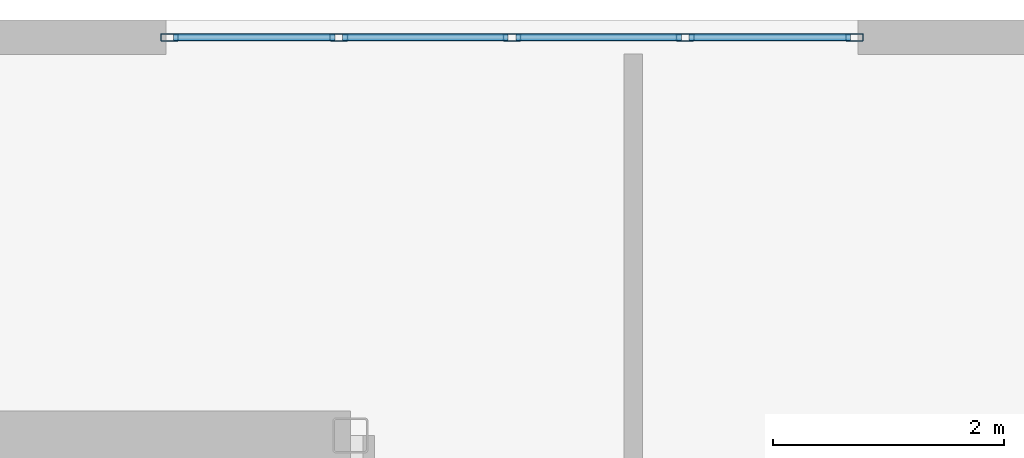
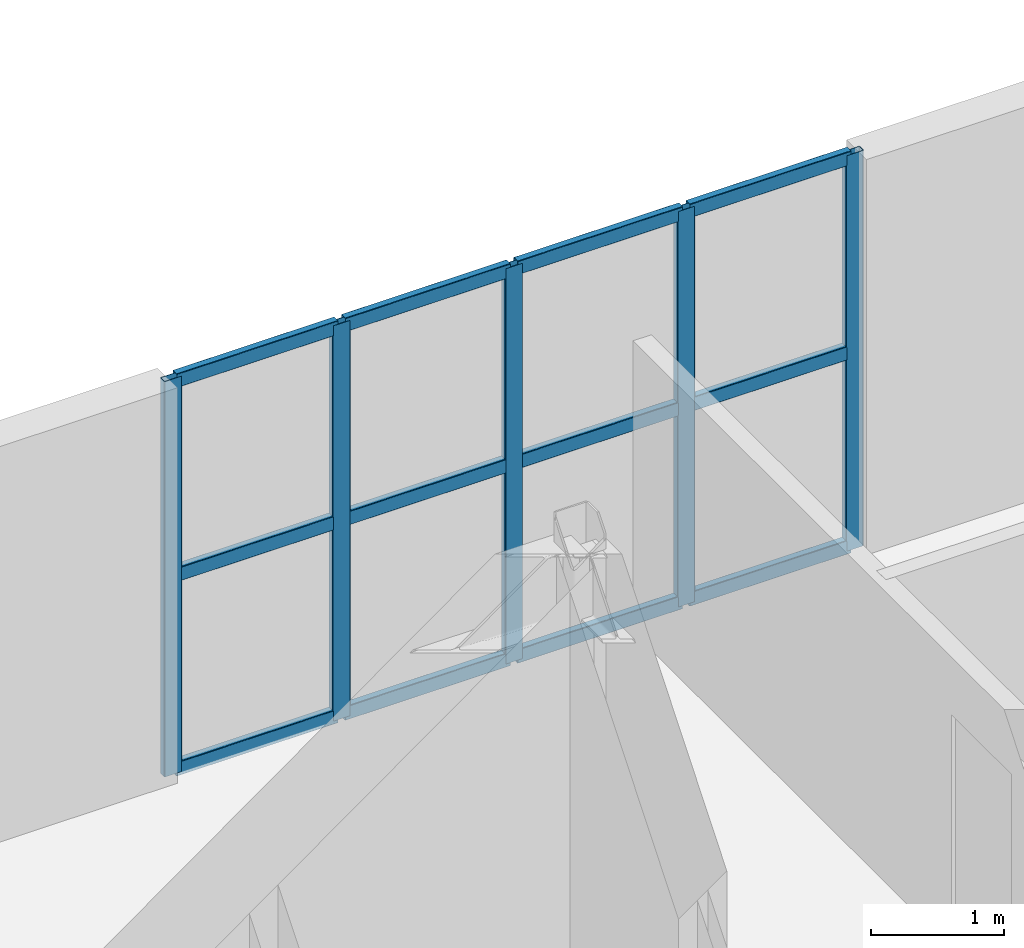
# One storey, part 3 of 6: 17 members, 1 element without a shape of its own.
"""IFC4 building model written with IfcOpenShell, lengths in metres."""

from ifc_helpers import new_model, entity, si_unit, converted_unit, direction, frame, origin_with_axes, origin_2d_with_axis, place, context, subcontext, project, spatial, hollow_rectangle, extrude, material, material_profile, profile_set, type_object, element, aggregate, save


model = new_model("IFC4")

# Units and contexts
model_context = context("Model", 3, precision=1e-05, world=origin_with_axes(), true_north=direction((0.0, 1.0)))
body_context = subcontext(model_context, "Body", "Model", "MODEL_VIEW")
ifc_project = project(units=[si_unit("LENGTHUNIT", "METRE"), si_unit("AREAUNIT", "SQUARE_METRE"), si_unit("VOLUMEUNIT", "CUBIC_METRE"), converted_unit("PLANEANGLEUNIT", "DEGREE", entity("IfcPlaneAngleMeasure", 0.017453292519943295), si_unit("PLANEANGLEUNIT", "RADIAN"), dimensions=[0, 0, 0, 0, 0, 0, 0]), si_unit("MASSUNIT", "GRAM", prefix="KILO"), si_unit("THERMODYNAMICTEMPERATUREUNIT", "KELVIN")], contexts=[model_context])

# Site, building, storey
site_placement = place(None, origin_with_axes())
site = spatial("IfcSite", under=ifc_project, at=site_placement, CompositionType="ELEMENT")
building_placement = place(site_placement, origin_with_axes())
building = spatial("IfcBuilding", under=site, at=building_placement, Name="Varnlund Millrace Tower", CompositionType="ELEMENT")
storey_placement = place(building_placement, frame((0.0, 0.0, 328.2), z_axis=(0.0, 0.0, 1.0), x_axis=(1.0, 0.0, 0.0)))
storey = spatial("IfcBuildingStorey", under=building, at=storey_placement, Name="L81", CompositionType="ELEMENT", Elevation=328.2)

# Curtain wall, members
ifc_material_1 = material(Name="Thermally broken architectural bronze curtain wall", Category="aluminium")
curtain_wall_type = type_object("IfcCurtainWallType", Name="Type-CW-Sys7-CrownLantern", PredefinedType="NOTDEFINED", material=ifc_material_1)
curtain_wall_placement = place(storey_placement, frame((17.0, 41.25, 0.0), z_axis=(0.0, 0.0, 1.0), x_axis=(1.0, 0.0, 0.0)))
curtain_wall = element("IfcCurtainWall", 1, at=curtain_wall_placement, inside=storey, type_object=curtain_wall_type, Name="Type-CW-Sys7-CrownLantern", PredefinedType="NOTDEFINED")
ifc_material_2 = material(Name="Architectural bronze aluminium alloy 6063-T6", Category="aluminium")
ifc_material_profile_1 = material_profile(ifc_material_2, hollow_rectangle(XDim=0.065, YDim=0.155, WallThickness=0.0045, InnerFilletRadius=0.004, OuterFilletRadius=0.009, at=origin_2d_with_axis()), Name="Architectural bronze aluminium alloy 6063-T6")
ifc_profile_set_1 = profile_set([ifc_material_profile_1], Name="Architectural bronze aluminium alloy 6063-T6")
member_type_1 = type_object("IfcMemberType", Name="Type-CW-Mullion-65X155", PredefinedType="MULLION", material=ifc_profile_set_1)
member_1_placement = place(storey_placement, frame((17.0325, 41.25, 0.0), z_axis=(0.0, 0.0, 1.0), x_axis=(0.0, 1.0, 0.0)))
member_1 = element("IfcMember", 2, at=member_1_placement, type_object=member_type_1, Name="CW-07 mullion 1", PredefinedType="MULLION", context=body_context, shape_type="SweptSolid", body=[
    extrude(hollow_rectangle(XDim=0.065, YDim=0.155, WallThickness=0.0045, InnerFilletRadius=0.004, OuterFilletRadius=0.009, at=origin_2d_with_axis()), origin_with_axes(), (0.0, 0.0, 1.0), 3.64),
])
member_2_placement = place(storey_placement, frame((18.5, 41.25, 0.0), z_axis=(0.0, 0.0, 1.0), x_axis=(0.0, 1.0, 0.0)))
member_2 = element("IfcMember", 3, at=member_2_placement, type_object=member_type_1, Name="CW-07 mullion 2", PredefinedType="MULLION", context=body_context, shape_type="SweptSolid", body=[
    extrude(hollow_rectangle(XDim=0.065, YDim=0.155, WallThickness=0.0045, InnerFilletRadius=0.004, OuterFilletRadius=0.009, at=origin_2d_with_axis()), origin_with_axes(), (0.0, 0.0, 1.0), 3.64),
])
member_3_placement = place(storey_placement, frame((20.0, 41.25, 0.0), z_axis=(0.0, 0.0, 1.0), x_axis=(0.0, 1.0, 0.0)))
member_3 = element("IfcMember", 4, at=member_3_placement, type_object=member_type_1, Name="CW-07 mullion 3", PredefinedType="MULLION", context=body_context, shape_type="SweptSolid", body=[
    extrude(hollow_rectangle(XDim=0.065, YDim=0.155, WallThickness=0.0045, InnerFilletRadius=0.004, OuterFilletRadius=0.009, at=origin_2d_with_axis()), origin_with_axes(), (0.0, 0.0, 1.0), 3.64),
])
member_4_placement = place(storey_placement, frame((21.5, 41.25, 0.0), z_axis=(0.0, 0.0, 1.0), x_axis=(0.0, 1.0, 0.0)))
member_4 = element("IfcMember", 5, at=member_4_placement, type_object=member_type_1, Name="CW-07 mullion 4", PredefinedType="MULLION", context=body_context, shape_type="SweptSolid", body=[
    extrude(hollow_rectangle(XDim=0.065, YDim=0.155, WallThickness=0.0045, InnerFilletRadius=0.004, OuterFilletRadius=0.009, at=origin_2d_with_axis()), origin_with_axes(), (0.0, 0.0, 1.0), 3.64),
])
member_5_placement = place(storey_placement, frame((22.9675, 41.25, 0.0), z_axis=(0.0, 0.0, 1.0), x_axis=(0.0, 1.0, 0.0)))
member_5 = element("IfcMember", 6, at=member_5_placement, type_object=member_type_1, Name="CW-07 mullion 5", PredefinedType="MULLION", context=body_context, shape_type="SweptSolid", body=[
    extrude(hollow_rectangle(XDim=0.065, YDim=0.155, WallThickness=0.0045, InnerFilletRadius=0.004, OuterFilletRadius=0.009, at=origin_2d_with_axis()), origin_with_axes(), (0.0, 0.0, 1.0), 3.64),
])
ifc_material_profile_2 = material_profile(ifc_material_2, hollow_rectangle(XDim=0.065, YDim=0.13, WallThickness=0.0045, InnerFilletRadius=0.004, OuterFilletRadius=0.009, at=origin_2d_with_axis()), Name="Architectural bronze aluminium alloy 6063-T6")
ifc_profile_set_2 = profile_set([ifc_material_profile_2], Name="Architectural bronze aluminium alloy 6063-T6")
member_type_2 = type_object("IfcMemberType", Name="Type-CW-Transom-65X130", PredefinedType="USERDEFINED", material=ifc_profile_set_2)
member_6_placement = place(storey_placement, frame((17.065, 41.25, 0.0325), z_axis=(1.0, 0.0, 0.0), x_axis=(0.0, 1.0, 0.0)))
member_6 = element("IfcMember", 7, at=member_6_placement, type_object=member_type_2, Name="CW-07 transom 1.1", ObjectType="TRANSOM", PredefinedType="USERDEFINED", context=body_context, shape_type="SweptSolid", body=[
    extrude(hollow_rectangle(XDim=0.065, YDim=0.13, WallThickness=0.0045, InnerFilletRadius=0.004, OuterFilletRadius=0.009, at=origin_2d_with_axis()), origin_with_axes(), (0.0, 0.0, 1.0), 1.4025),
])
member_7_placement = place(storey_placement, frame((17.065, 41.25, 1.82), z_axis=(1.0, 0.0, 0.0), x_axis=(0.0, 1.0, 0.0)))
member_7 = element("IfcMember", 8, at=member_7_placement, type_object=member_type_2, Name="CW-07 transom 1.2", ObjectType="TRANSOM", PredefinedType="USERDEFINED", context=body_context, shape_type="SweptSolid", body=[
    extrude(hollow_rectangle(XDim=0.065, YDim=0.13, WallThickness=0.0045, InnerFilletRadius=0.004, OuterFilletRadius=0.009, at=origin_2d_with_axis()), origin_with_axes(), (0.0, 0.0, 1.0), 1.4025),
])
member_8_placement = place(storey_placement, frame((17.065, 41.25, 3.6075), z_axis=(1.0, 0.0, 0.0), x_axis=(0.0, 1.0, 0.0)))
member_8 = element("IfcMember", 9, at=member_8_placement, type_object=member_type_2, Name="CW-07 transom 1.3", ObjectType="TRANSOM", PredefinedType="USERDEFINED", context=body_context, shape_type="SweptSolid", body=[
    extrude(hollow_rectangle(XDim=0.065, YDim=0.13, WallThickness=0.0045, InnerFilletRadius=0.004, OuterFilletRadius=0.009, at=origin_2d_with_axis()), origin_with_axes(), (0.0, 0.0, 1.0), 1.4025),
])
member_9_placement = place(storey_placement, frame((18.5325, 41.25, 0.0325), z_axis=(1.0, 0.0, 0.0), x_axis=(0.0, 1.0, 0.0)))
member_9 = element("IfcMember", 10, at=member_9_placement, type_object=member_type_2, Name="CW-07 transom 2.1", ObjectType="TRANSOM", PredefinedType="USERDEFINED", context=body_context, shape_type="SweptSolid", body=[
    extrude(hollow_rectangle(XDim=0.065, YDim=0.13, WallThickness=0.0045, InnerFilletRadius=0.004, OuterFilletRadius=0.009, at=origin_2d_with_axis()), origin_with_axes(), (0.0, 0.0, 1.0), 1.435),
])
member_10_placement = place(storey_placement, frame((18.5325, 41.25, 1.82), z_axis=(1.0, 0.0, 0.0), x_axis=(0.0, 1.0, 0.0)))
member_10 = element("IfcMember", 11, at=member_10_placement, type_object=member_type_2, Name="CW-07 transom 2.2", ObjectType="TRANSOM", PredefinedType="USERDEFINED", context=body_context, shape_type="SweptSolid", body=[
    extrude(hollow_rectangle(XDim=0.065, YDim=0.13, WallThickness=0.0045, InnerFilletRadius=0.004, OuterFilletRadius=0.009, at=origin_2d_with_axis()), origin_with_axes(), (0.0, 0.0, 1.0), 1.435),
])
member_11_placement = place(storey_placement, frame((18.5325, 41.25, 3.6075), z_axis=(1.0, 0.0, 0.0), x_axis=(0.0, 1.0, 0.0)))
member_11 = element("IfcMember", 12, at=member_11_placement, type_object=member_type_2, Name="CW-07 transom 2.3", ObjectType="TRANSOM", PredefinedType="USERDEFINED", context=body_context, shape_type="SweptSolid", body=[
    extrude(hollow_rectangle(XDim=0.065, YDim=0.13, WallThickness=0.0045, InnerFilletRadius=0.004, OuterFilletRadius=0.009, at=origin_2d_with_axis()), origin_with_axes(), (0.0, 0.0, 1.0), 1.435),
])
member_12_placement = place(storey_placement, frame((20.0325, 41.25, 0.0325), z_axis=(1.0, 0.0, 0.0), x_axis=(0.0, 1.0, 0.0)))
member_12 = element("IfcMember", 13, at=member_12_placement, type_object=member_type_2, Name="CW-07 transom 3.1", ObjectType="TRANSOM", PredefinedType="USERDEFINED", context=body_context, shape_type="SweptSolid", body=[
    extrude(hollow_rectangle(XDim=0.065, YDim=0.13, WallThickness=0.0045, InnerFilletRadius=0.004, OuterFilletRadius=0.009, at=origin_2d_with_axis()), origin_with_axes(), (0.0, 0.0, 1.0), 1.435),
])
member_13_placement = place(storey_placement, frame((20.0325, 41.25, 1.82), z_axis=(1.0, 0.0, 0.0), x_axis=(0.0, 1.0, 0.0)))
member_13 = element("IfcMember", 14, at=member_13_placement, type_object=member_type_2, Name="CW-07 transom 3.2", ObjectType="TRANSOM", PredefinedType="USERDEFINED", context=body_context, shape_type="SweptSolid", body=[
    extrude(hollow_rectangle(XDim=0.065, YDim=0.13, WallThickness=0.0045, InnerFilletRadius=0.004, OuterFilletRadius=0.009, at=origin_2d_with_axis()), origin_with_axes(), (0.0, 0.0, 1.0), 1.435),
])
member_14_placement = place(storey_placement, frame((20.0325, 41.25, 3.6075), z_axis=(1.0, 0.0, 0.0), x_axis=(0.0, 1.0, 0.0)))
member_14 = element("IfcMember", 15, at=member_14_placement, type_object=member_type_2, Name="CW-07 transom 3.3", ObjectType="TRANSOM", PredefinedType="USERDEFINED", context=body_context, shape_type="SweptSolid", body=[
    extrude(hollow_rectangle(XDim=0.065, YDim=0.13, WallThickness=0.0045, InnerFilletRadius=0.004, OuterFilletRadius=0.009, at=origin_2d_with_axis()), origin_with_axes(), (0.0, 0.0, 1.0), 1.435),
])
member_15_placement = place(storey_placement, frame((21.5325, 41.25, 0.0325), z_axis=(1.0, 0.0, 0.0), x_axis=(0.0, 1.0, 0.0)))
member_15 = element("IfcMember", 16, at=member_15_placement, type_object=member_type_2, Name="CW-07 transom 4.1", ObjectType="TRANSOM", PredefinedType="USERDEFINED", context=body_context, shape_type="SweptSolid", body=[
    extrude(hollow_rectangle(XDim=0.065, YDim=0.13, WallThickness=0.0045, InnerFilletRadius=0.004, OuterFilletRadius=0.009, at=origin_2d_with_axis()), origin_with_axes(), (0.0, 0.0, 1.0), 1.4025),
])
member_16_placement = place(storey_placement, frame((21.5325, 41.25, 1.82), z_axis=(1.0, 0.0, 0.0), x_axis=(0.0, 1.0, 0.0)))
member_16 = element("IfcMember", 17, at=member_16_placement, type_object=member_type_2, Name="CW-07 transom 4.2", ObjectType="TRANSOM", PredefinedType="USERDEFINED", context=body_context, shape_type="SweptSolid", body=[
    extrude(hollow_rectangle(XDim=0.065, YDim=0.13, WallThickness=0.0045, InnerFilletRadius=0.004, OuterFilletRadius=0.009, at=origin_2d_with_axis()), origin_with_axes(), (0.0, 0.0, 1.0), 1.4025),
])
member_17_placement = place(storey_placement, frame((21.5325, 41.25, 3.6075), z_axis=(1.0, 0.0, 0.0), x_axis=(0.0, 1.0, 0.0)))
member_17 = element("IfcMember", 18, at=member_17_placement, type_object=member_type_2, Name="CW-07 transom 4.3", ObjectType="TRANSOM", PredefinedType="USERDEFINED", context=body_context, shape_type="SweptSolid", body=[
    extrude(hollow_rectangle(XDim=0.065, YDim=0.13, WallThickness=0.0045, InnerFilletRadius=0.004, OuterFilletRadius=0.009, at=origin_2d_with_axis()), origin_with_axes(), (0.0, 0.0, 1.0), 1.4025),
])
aggregate(curtain_wall, [member_1, member_2, member_3, member_4, member_5, member_6, member_7, member_8, member_9, member_10, member_11, member_12, member_13, member_14, member_15, member_16, member_17])

save(model, "model.ifc")
